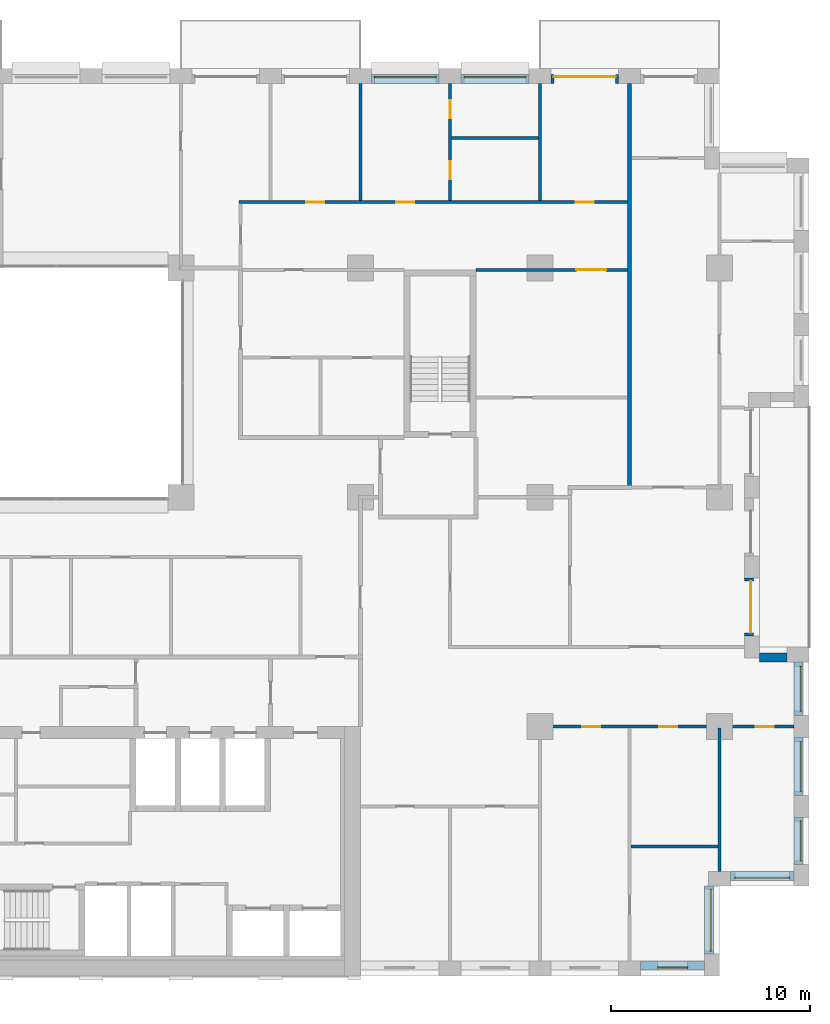
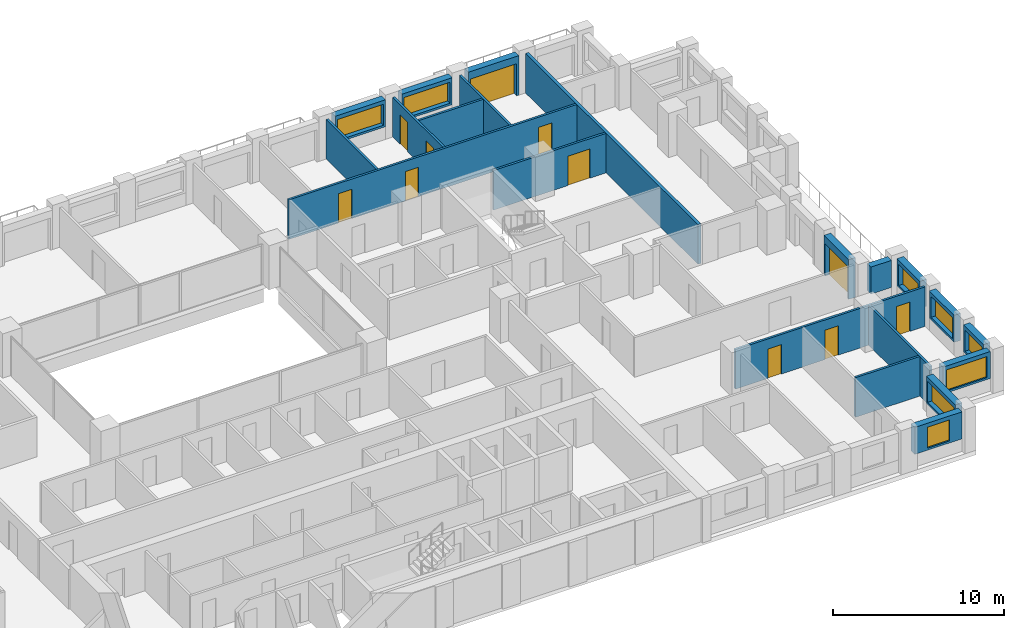
# One storey, part 14 of 16: 21 walls, 11 doors, 8 windows, 19 openings.
"""IFC4 building model written with IfcOpenShell, lengths in metres."""

from ifc_helpers import new_model, si_unit, direction, frame, frame_2d, origin, place, context, subcontext, project, spatial, rectangle, extrude, material, layer, layer_set, type_object, element, fill, save


model = new_model("IFC4")

# Units and contexts
model_context = context("Model", 3, precision=1e-05, world=origin(), true_north=direction((0.0, 1.0)))
body_context = subcontext(model_context, "Body", "Model", "MODEL_VIEW")
ifc_project = project(units=[si_unit("LENGTHUNIT", "METRE"), si_unit("AREAUNIT", "SQUARE_METRE"), si_unit("VOLUMEUNIT", "CUBIC_METRE"), si_unit("PLANEANGLEUNIT", "RADIAN"), si_unit("MASSUNIT", "GRAM", prefix="KILO")], contexts=[model_context])

# Site, building, storey
site_placement = place(None, origin())
site = spatial("IfcSite", under=ifc_project, at=site_placement, CompositionType="ELEMENT")
building_placement = place(site_placement, origin())
building = spatial("IfcBuilding", under=site, at=building_placement, Name="Brigalow Station Residences", CompositionType="ELEMENT")
storey_placement = place(building_placement, frame((0.0, 0.0, 108.75)))
storey = spatial("IfcBuildingStorey", under=building, at=storey_placement, Name="L31", CompositionType="ELEMENT", Elevation=108.75)

# Wall, opening, window
ifc_material_1 = material(Name="Clay brick masonry", Category="masonry")
ifc_layer_1 = layer(ifc_material_1, 0.449951171875)
ifc_layer_set_1 = layer_set([ifc_layer_1], Name="BRICK INFILL WALL 450")
wall_type_1 = type_object("IfcWallType", Name="BRICK INFILL WALL 450", PredefinedType="SOLIDWALL", material=ifc_layer_set_1)
wall_1_placement = place(storey_placement, frame((68.050048828125, 0.52490234375, 0.89990234375), z_axis=(0.0, 0.0, 1.0), x_axis=(1.0, 0.0, 0.0)))
wall_1 = element("IfcWall", 1, at=wall_1_placement, inside=storey, type_object=wall_type_1, Name="L31/ewall/W-L31-7", PredefinedType="SOLIDWALL", context=body_context, shape_type="SweptSolid", body=[
    extrude(rectangle(XDim=3.199951171875, YDim=0.449951171875, at=frame_2d((1.60009765625, 0.0))), origin(), (0.0, 0.0, 1.0), 1.93017578125),
])
opening_1_placement = place(wall_1_placement, frame((0.85009765625, 0.0, 0.14990234375)))
opening_1 = element("IfcOpeningElement", 2, at=opening_1_placement, cuts=wall_1, Name="Opening WT-1", PredefinedType="OPENING", context=body_context, shape_type="SweptSolid", body=[
    extrude(rectangle(XDim=1.5, YDim=1.5, at=frame_2d((0.75, 0.75))), frame((0.0, 0.23486328125, 0.0), z_axis=(0.0, -1.0, 0.0), x_axis=(1.0, 0.0, 0.0)), (0.0, 0.0, 1.0), 0.469970703125),
])
ifc_material_2 = material(Name="Anodised aluminium frame with double glazing", Category="aluminium")
window_type_1 = type_object("IfcWindowType", Name="WINDOW 1500x1500", PartitioningType="SINGLE_PANEL", PredefinedType="WINDOW", material=ifc_material_2)
window_1_placement = place(opening_1_placement, origin())
window_1 = element("IfcWindow", 3, at=window_1_placement, inside=storey, type_object=window_type_1, Name="L31/window/W-L31-7", OverallHeight=1.5, OverallWidth=1.5, PartitioningType="SINGLE_PANEL", PredefinedType="WINDOW", context=body_context, shape_type="SweptSolid", body=[
    extrude(rectangle(XDim=1.5, YDim=1.5, at=frame_2d((0.75, 0.75))), frame((0.0, -0.06494140625, 0.0), z_axis=(0.0, -1.0, 0.0), x_axis=(1.0, 0.0, 0.0)), (0.0, 0.0, 1.0), 0.06005859375),
])
fill(opening_1, window_1)

wall_2_placement = place(storey_placement, frame((71.47509765625, 1.10009765625, 0.89990234375), z_axis=(0.0, 0.0, 1.0), x_axis=(0.0, 1.0, 0.0)))
wall_2 = element("IfcWall", 4, at=wall_2_placement, inside=storey, type_object=wall_type_1, Name="L31/ewall/W-L31-8", PredefinedType="SOLIDWALL", context=body_context, shape_type="SweptSolid", body=[
    extrude(rectangle(XDim=3.39990234375, YDim=0.449951171875, at=frame_2d((1.699951171875, 0.0))), origin(), (0.0, 0.0, 1.0), 1.93017578125),
])
opening_2_placement = place(wall_2_placement, frame((0.14990234375, 0.0, 0.14990234375)))
opening_2 = element("IfcOpeningElement", 5, at=opening_2_placement, cuts=wall_2, Name="Opening WT-8", PredefinedType="OPENING", context=body_context, shape_type="SweptSolid", body=[
    extrude(rectangle(XDim=3.10009765625, YDim=1.5, at=frame_2d((1.550048828125, 0.75))), frame((0.0, 0.23486328125, 0.0), z_axis=(0.0, -1.0, 0.0), x_axis=(1.0, 0.0, 0.0)), (0.0, 0.0, 1.0), 0.469970703125),
])
ifc_material_3 = material(Name="Anodised aluminium frame with double glazing", Category="aluminium")
window_type_2 = type_object("IfcWindowType", Name="WINDOW 3100x1500", PartitioningType="SINGLE_PANEL", PredefinedType="WINDOW", material=ifc_material_3)
window_2_placement = place(opening_2_placement, origin())
window_2 = element("IfcWindow", 6, at=window_2_placement, inside=storey, type_object=window_type_2, Name="L31/window/W-L31-8", OverallHeight=1.5, OverallWidth=3.10009765625, PartitioningType="SINGLE_PANEL", PredefinedType="WINDOW", context=body_context, shape_type="SweptSolid", body=[
    extrude(rectangle(XDim=3.10009765625, YDim=1.5, at=frame_2d((1.550048828125, 0.75))), frame((0.0, -0.06494140625, 0.0), z_axis=(0.0, -1.0, 0.0), x_axis=(1.0, 0.0, 0.0)), (0.0, 0.0, 1.0), 0.06005859375),
])
fill(opening_2, window_2)

wall_3_placement = place(storey_placement, frame((72.550048828125, 5.02490234375, 0.89990234375), z_axis=(0.0, 0.0, 1.0), x_axis=(1.0, 0.0, 0.0)))
wall_3 = element("IfcWall", 7, at=wall_3_placement, inside=storey, type_object=wall_type_1, Name="L31/ewall/W-L31-9", PredefinedType="SOLIDWALL", context=body_context, shape_type="SweptSolid", body=[
    extrude(rectangle(XDim=3.199951171875, YDim=0.449951171875, at=frame_2d((1.60009765625, 0.0))), origin(), (0.0, 0.0, 1.0), 1.93017578125),
])
opening_3_placement = place(wall_3_placement, frame((0.22509765625, 0.0, 0.14990234375)))
opening_3 = element("IfcOpeningElement", 8, at=opening_3_placement, cuts=wall_3, Name="Opening WT-3", PredefinedType="OPENING", context=body_context, shape_type="SweptSolid", body=[
    extrude(rectangle(XDim=2.75, YDim=1.5, at=frame_2d((1.375, 0.75))), frame((0.0, 0.23486328125, 0.0), z_axis=(0.0, -1.0, 0.0), x_axis=(1.0, 0.0, 0.0)), (0.0, 0.0, 1.0), 0.469970703125),
])
ifc_material_4 = material(Name="Anodised aluminium frame with double glazing", Category="aluminium")
window_type_3 = type_object("IfcWindowType", Name="WINDOW 2750x1500", PartitioningType="SINGLE_PANEL", PredefinedType="WINDOW", material=ifc_material_4)
window_3_placement = place(opening_3_placement, origin())
window_3 = element("IfcWindow", 9, at=window_3_placement, inside=storey, type_object=window_type_3, Name="L31/window/W-L31-9", OverallHeight=1.5, OverallWidth=2.75, PartitioningType="SINGLE_PANEL", PredefinedType="WINDOW", context=body_context, shape_type="SweptSolid", body=[
    extrude(rectangle(XDim=2.75, YDim=1.5, at=frame_2d((1.375, 0.75))), frame((0.0, -0.06494140625, 0.0), z_axis=(0.0, -1.0, 0.0), x_axis=(1.0, 0.0, 0.0)), (0.0, 0.0, 1.0), 0.06005859375),
])
fill(opening_3, window_3)

wall_4_placement = place(storey_placement, frame((75.97509765625, 5.60009765625, 0.89990234375), z_axis=(0.0, 0.0, 1.0), x_axis=(0.0, 1.0, 0.0)))
wall_4 = element("IfcWall", 10, at=wall_4_placement, inside=storey, type_object=wall_type_1, Name="L31/ewall/W-L31-10", PredefinedType="SOLIDWALL", context=body_context, shape_type="SweptSolid", body=[
    extrude(rectangle(XDim=2.349853515625, YDim=0.449951171875, at=frame_2d((1.1748046875, 0.0))), origin(), (0.0, 0.0, 1.0), 1.93017578125),
])
opening_4_placement = place(wall_4_placement, frame((0.175048828125, 0.0, 0.14990234375)))
opening_4 = element("IfcOpeningElement", 11, at=opening_4_placement, cuts=wall_4, Name="Opening WT-7", PredefinedType="OPENING", context=body_context, shape_type="SweptSolid", body=[
    extrude(rectangle(XDim=2.0, YDim=1.5, at=frame_2d((1.0, 0.75))), frame((0.0, 0.23486328125, 0.0), z_axis=(0.0, -1.0, 0.0), x_axis=(1.0, 0.0, 0.0)), (0.0, 0.0, 1.0), 0.469970703125),
])
ifc_material_5 = material(Name="Anodised aluminium frame with double glazing", Category="aluminium")
window_type_4 = type_object("IfcWindowType", Name="WINDOW 2000x1500", PartitioningType="SINGLE_PANEL", PredefinedType="WINDOW", material=ifc_material_5)
window_4_placement = place(opening_4_placement, origin())
window_4 = element("IfcWindow", 12, at=window_4_placement, inside=storey, type_object=window_type_4, Name="L31/window/W-L31-10", OverallHeight=1.5, OverallWidth=2.0, PartitioningType="SINGLE_PANEL", PredefinedType="WINDOW", context=body_context, shape_type="SweptSolid", body=[
    extrude(rectangle(XDim=2.0, YDim=1.5, at=frame_2d((1.0, 0.75))), frame((0.0, -0.06494140625, 0.0), z_axis=(0.0, -1.0, 0.0), x_axis=(1.0, 0.0, 0.0)), (0.0, 0.0, 1.0), 0.06005859375),
])
fill(opening_4, window_4)

wall_5_placement = place(storey_placement, frame((75.97509765625, 9.050048828125, 0.89990234375), z_axis=(0.0, 0.0, 1.0), x_axis=(0.0, 1.0, 0.0)))
wall_5 = element("IfcWall", 13, at=wall_5_placement, inside=storey, type_object=wall_type_1, Name="L31/ewall/W-L31-11", PredefinedType="SOLIDWALL", context=body_context, shape_type="SweptSolid", body=[
    extrude(rectangle(XDim=2.89990234375, YDim=0.449951171875, at=frame_2d((1.449951171875, 0.0))), origin(), (0.0, 0.0, 1.0), 1.93017578125),
])
opening_5_placement = place(wall_5_placement, frame((0.199951171875, 0.0, 0.14990234375)))
opening_5 = element("IfcOpeningElement", 14, at=opening_5_placement, cuts=wall_5, Name="Opening WT-5", PredefinedType="OPENING", context=body_context, shape_type="SweptSolid", body=[
    extrude(rectangle(XDim=2.5, YDim=1.5, at=frame_2d((1.25, 0.75))), frame((0.0, 0.23486328125, 0.0), z_axis=(0.0, -1.0, 0.0), x_axis=(1.0, 0.0, 0.0)), (0.0, 0.0, 1.0), 0.469970703125),
])
ifc_material_6 = material(Name="Anodised aluminium frame with double glazing", Category="aluminium")
window_type_5 = type_object("IfcWindowType", Name="WINDOW 2500x1500", PartitioningType="SINGLE_PANEL", PredefinedType="WINDOW", material=ifc_material_6)
window_5_placement = place(opening_5_placement, origin())
window_5 = element("IfcWindow", 15, at=window_5_placement, inside=storey, type_object=window_type_5, Name="L31/window/W-L31-11", OverallHeight=1.5, OverallWidth=2.5, PartitioningType="SINGLE_PANEL", PredefinedType="WINDOW", context=body_context, shape_type="SweptSolid", body=[
    extrude(rectangle(XDim=2.5, YDim=1.5, at=frame_2d((1.25, 0.75))), frame((0.0, -0.06494140625, 0.0), z_axis=(0.0, -1.0, 0.0), x_axis=(1.0, 0.0, 0.0)), (0.0, 0.0, 1.0), 0.06005859375),
])
fill(opening_5, window_5)

wall_6_placement = place(storey_placement, frame((75.97509765625, 13.050048828125, 0.89990234375), z_axis=(0.0, 0.0, 1.0), x_axis=(0.0, 1.0, 0.0)))
wall_6 = element("IfcWall", 16, at=wall_6_placement, inside=storey, type_object=wall_type_1, Name="L31/ewall/W-L31-12", PredefinedType="SOLIDWALL", context=body_context, shape_type="SweptSolid", body=[
    extrude(rectangle(XDim=2.699951171875, YDim=0.449951171875, at=frame_2d((1.35009765625, 0.0))), origin(), (0.0, 0.0, 1.0), 1.93017578125),
])
opening_6_placement = place(wall_6_placement, frame((0.22509765625, 0.0, 0.14990234375)))
opening_6 = element("IfcOpeningElement", 17, at=opening_6_placement, cuts=wall_6, Name="Opening WT-6", PredefinedType="OPENING", context=body_context, shape_type="SweptSolid", body=[
    extrude(rectangle(XDim=2.25, YDim=1.5, at=frame_2d((1.125, 0.75))), frame((0.0, 0.23486328125, 0.0), z_axis=(0.0, -1.0, 0.0), x_axis=(1.0, 0.0, 0.0)), (0.0, 0.0, 1.0), 0.469970703125),
])
ifc_material_7 = material(Name="Anodised aluminium frame with double glazing", Category="aluminium")
window_type_6 = type_object("IfcWindowType", Name="WINDOW 2250x1500", PartitioningType="SINGLE_PANEL", PredefinedType="WINDOW", material=ifc_material_7)
window_6_placement = place(opening_6_placement, origin())
window_6 = element("IfcWindow", 18, at=window_6_placement, inside=storey, type_object=window_type_6, Name="L31/window/W-L31-12", OverallHeight=1.5, OverallWidth=2.25, PartitioningType="SINGLE_PANEL", PredefinedType="WINDOW", context=body_context, shape_type="SweptSolid", body=[
    extrude(rectangle(XDim=2.25, YDim=1.5, at=frame_2d((1.125, 0.75))), frame((0.0, -0.06494140625, 0.0), z_axis=(0.0, -1.0, 0.0), x_axis=(1.0, 0.0, 0.0)), (0.0, 0.0, 1.0), 0.06005859375),
])
fill(opening_6, window_6)

# Wall
wall_7_placement = place(storey_placement, frame((75.39990234375, 15.97509765625, 0.89990234375), z_axis=(0.0, 0.0, 1.0), x_axis=(-1.0, 0.0, 0.0)))
element("IfcWall", 19, at=wall_7_placement, inside=storey, type_object=wall_type_1, Name="L31/ewall/W-L31-13", PredefinedType="SOLIDWALL", context=body_context, shape_type="SweptSolid", body=[
    extrude(rectangle(XDim=1.39990234375, YDim=0.449951171875, at=frame_2d((0.699951171875, 0.0))), origin(), (0.0, 0.0, 1.0), 1.93017578125),
])

# Wall, opening, door
wall_8_placement = place(storey_placement, frame((73.47509765625, 17.050048828125, 0.0), z_axis=(0.0, 0.0, 1.0), x_axis=(0.0, 1.0, 0.0)))
wall_8 = element("IfcWall", 20, at=wall_8_placement, inside=storey, type_object=wall_type_1, Name="L31/ewall/W-L31-14", PredefinedType="SOLIDWALL", context=body_context, shape_type="SweptSolid", body=[
    extrude(rectangle(XDim=2.89990234375, YDim=0.449951171875, at=frame_2d((1.449951171875, 0.0))), origin(), (0.0, 0.0, 1.0), 2.830078125),
])
opening_7_placement = place(wall_8_placement, frame((0.14990234375, 0.0, 0.0)))
opening_7 = element("IfcOpeningElement", 21, at=opening_7_placement, cuts=wall_8, Name="Opening D-B2600", PredefinedType="OPENING", context=body_context, shape_type="SweptSolid", body=[
    extrude(rectangle(XDim=2.60009765625, YDim=2.300048828125, at=frame_2d((1.300048828125, 1.14990234375))), frame((0.0, 0.23486328125, 0.0), z_axis=(0.0, -1.0, 0.0), x_axis=(1.0, 0.0, 0.0)), (0.0, 0.0, 1.0), 0.469970703125),
])
ifc_material_8 = material(Name="Anodised aluminium frame with double glazing", Category="aluminium")
door_type_1 = type_object("IfcDoorType", Name="BALCONY SLIDING DOOR 2600x2300", OperationType="SLIDING_TO_LEFT", PredefinedType="DOOR", material=ifc_material_8)
door_1_placement = place(opening_7_placement, origin())
door_1 = element("IfcDoor", 22, at=door_1_placement, inside=storey, type_object=door_type_1, Name="L31/balcony-door/W-L31-14", OperationType="SLIDING_TO_LEFT", OverallHeight=2.300048828125, OverallWidth=2.60009765625, PredefinedType="DOOR", context=body_context, shape_type="SweptSolid", body=[
    extrude(rectangle(XDim=2.60009765625, YDim=2.300048828125, at=frame_2d((1.300048828125, 1.14990234375))), frame((0.0, -0.06982421875, 0.0), z_axis=(0.0, -1.0, 0.0), x_axis=(1.0, 0.0, 0.0)), (0.0, 0.0, 1.0), 0.050048828125),
])
fill(opening_7, door_1)

wall_9_placement = place(storey_placement, frame((66.949951171875, 44.97509765625, 0.0), z_axis=(0.0, 0.0, 1.0), x_axis=(-1.0, 0.0, 0.0)))
wall_9 = element("IfcWall", 23, at=wall_9_placement, inside=storey, type_object=wall_type_1, Name="L31/ewall/W-L31-24", PredefinedType="SOLIDWALL", context=body_context, shape_type="SweptSolid", body=[
    extrude(rectangle(XDim=3.39990234375, YDim=0.449951171875, at=frame_2d((1.699951171875, 0.0))), origin(), (0.0, 0.0, 1.0), 2.830078125),
])
opening_8_placement = place(wall_9_placement, frame((0.14990234375, 0.0, 0.0)))
opening_8 = element("IfcOpeningElement", 24, at=opening_8_placement, cuts=wall_9, Name="Opening D-B3100", PredefinedType="OPENING", context=body_context, shape_type="SweptSolid", body=[
    extrude(rectangle(XDim=3.10009765625, YDim=2.300048828125, at=frame_2d((1.550048828125, 1.14990234375))), frame((0.0, 0.23486328125, 0.0), z_axis=(0.0, -1.0, 0.0), x_axis=(1.0, 0.0, 0.0)), (0.0, 0.0, 1.0), 0.469970703125),
])
ifc_material_9 = material(Name="Anodised aluminium frame with double glazing", Category="aluminium")
door_type_2 = type_object("IfcDoorType", Name="BALCONY SLIDING DOOR 3100x2300", OperationType="SLIDING_TO_LEFT", PredefinedType="DOOR", material=ifc_material_9)
door_2_placement = place(opening_8_placement, origin())
door_2 = element("IfcDoor", 25, at=door_2_placement, inside=storey, type_object=door_type_2, Name="L31/balcony-door/W-L31-24", OperationType="SLIDING_TO_LEFT", OverallHeight=2.300048828125, OverallWidth=3.10009765625, PredefinedType="DOOR", context=body_context, shape_type="SweptSolid", body=[
    extrude(rectangle(XDim=3.10009765625, YDim=2.300048828125, at=frame_2d((1.550048828125, 1.14990234375))), frame((0.0, -0.06982421875, 0.0), z_axis=(0.0, -1.0, 0.0), x_axis=(1.0, 0.0, 0.0)), (0.0, 0.0, 1.0), 0.050048828125),
])
fill(opening_8, door_2)

# Wall, opening, window
wall_10_placement = place(storey_placement, frame((62.449951171875, 44.97509765625, 0.89990234375), z_axis=(0.0, 0.0, 1.0), x_axis=(-1.0, 0.0, 0.0)))
wall_10 = element("IfcWall", 26, at=wall_10_placement, inside=storey, type_object=wall_type_1, Name="L31/ewall/W-L31-25", PredefinedType="SOLIDWALL", context=body_context, shape_type="SweptSolid", body=[
    extrude(rectangle(XDim=3.39990234375, YDim=0.449951171875, at=frame_2d((1.699951171875, 0.0))), origin(), (0.0, 0.0, 1.0), 1.93017578125),
])
opening_9_placement = place(wall_10_placement, frame((0.14990234375, 0.0, 0.14990234375)))
opening_9 = element("IfcOpeningElement", 27, at=opening_9_placement, cuts=wall_10, Name="Opening WT-8", PredefinedType="OPENING", context=body_context, shape_type="SweptSolid", body=[
    extrude(rectangle(XDim=3.10009765625, YDim=1.5, at=frame_2d((1.550048828125, 0.75))), frame((0.0, 0.23486328125, 0.0), z_axis=(0.0, -1.0, 0.0), x_axis=(1.0, 0.0, 0.0)), (0.0, 0.0, 1.0), 0.469970703125),
])
window_7_placement = place(opening_9_placement, origin())
window_7 = element("IfcWindow", 28, at=window_7_placement, inside=storey, type_object=window_type_2, Name="L31/window/W-L31-25", OverallHeight=1.5, OverallWidth=3.10009765625, PartitioningType="SINGLE_PANEL", PredefinedType="WINDOW", context=body_context, shape_type="SweptSolid", body=[
    extrude(rectangle(XDim=3.10009765625, YDim=1.5, at=frame_2d((1.550048828125, 0.75))), frame((0.0, -0.06494140625, 0.0), z_axis=(0.0, -1.0, 0.0), x_axis=(1.0, 0.0, 0.0)), (0.0, 0.0, 1.0), 0.06005859375),
])
fill(opening_9, window_7)

wall_11_placement = place(storey_placement, frame((57.949951171875, 44.97509765625, 0.89990234375), z_axis=(0.0, 0.0, 1.0), x_axis=(-1.0, 0.0, 0.0)))
wall_11 = element("IfcWall", 29, at=wall_11_placement, inside=storey, type_object=wall_type_1, Name="L31/ewall/W-L31-26", PredefinedType="SOLIDWALL", context=body_context, shape_type="SweptSolid", body=[
    extrude(rectangle(XDim=3.39990234375, YDim=0.449951171875, at=frame_2d((1.699951171875, 0.0))), origin(), (0.0, 0.0, 1.0), 1.93017578125),
])
opening_10_placement = place(wall_11_placement, frame((0.14990234375, 0.0, 0.14990234375)))
opening_10 = element("IfcOpeningElement", 30, at=opening_10_placement, cuts=wall_11, Name="Opening WT-8", PredefinedType="OPENING", context=body_context, shape_type="SweptSolid", body=[
    extrude(rectangle(XDim=3.10009765625, YDim=1.5, at=frame_2d((1.550048828125, 0.75))), frame((0.0, 0.23486328125, 0.0), z_axis=(0.0, -1.0, 0.0), x_axis=(1.0, 0.0, 0.0)), (0.0, 0.0, 1.0), 0.469970703125),
])
window_8_placement = place(opening_10_placement, origin())
window_8 = element("IfcWindow", 31, at=window_8_placement, inside=storey, type_object=window_type_2, Name="L31/window/W-L31-26", OverallHeight=1.5, OverallWidth=3.10009765625, PartitioningType="SINGLE_PANEL", PredefinedType="WINDOW", context=body_context, shape_type="SweptSolid", body=[
    extrude(rectangle(XDim=3.10009765625, YDim=1.5, at=frame_2d((1.550048828125, 0.75))), frame((0.0, -0.06494140625, 0.0), z_axis=(0.0, -1.0, 0.0), x_axis=(1.0, 0.0, 0.0)), (0.0, 0.0, 1.0), 0.06005859375),
])
fill(opening_10, window_8)

# Wall, openings, doors
ifc_material_10 = material(Name="Plasterboard on steel stud partition", Category="steel")
ifc_layer_2 = layer(ifc_material_10, 0.14990234375)
ifc_layer_set_2 = layer_set([ifc_layer_2], Name="FLAT PARTITION 150")
wall_type_2 = type_object("IfcWallType", Name="FLAT PARTITION 150", PredefinedType="PARTITIONING", material=ifc_layer_set_2)
wall_12_placement = place(storey_placement, frame((62.925048828125, 12.5, 0.0), z_axis=(0.0, 0.0, 1.0), x_axis=(1.0, 0.0, 0.0)))
wall_12 = element("IfcWall", 32, at=wall_12_placement, inside=storey, type_object=wall_type_2, Name="PW-2C12", PredefinedType="PARTITIONING", context=body_context, shape_type="SweptSolid", body=[
    extrude(rectangle(XDim=12.824951171875, YDim=0.14990234375, at=frame_2d((6.41259765625, 0.0))), origin(), (0.0, 0.0, 1.0), 2.830078125),
])
opening_11_placement = place(wall_12_placement, frame((6.050048828125, 0.0, 0.0)))
opening_11 = element("IfcOpeningElement", 33, at=opening_11_placement, cuts=wall_12, Name="Opening D-2C33", PredefinedType="OPENING", context=body_context, shape_type="SweptSolid", body=[
    extrude(rectangle(XDim=0.89990234375, YDim=2.10009765625, at=frame_2d((0.449951171875, 1.050048828125))), frame((0.0, 0.0849609375, 0.0), z_axis=(0.0, -1.0, 0.0), x_axis=(1.0, 0.0, 0.0)), (0.0, 0.0, 1.0), 0.169921875),
])
opening_12_placement = place(wall_12_placement, frame((2.199951171875, 0.0, 0.0)))
opening_12 = element("IfcOpeningElement", 34, at=opening_12_placement, cuts=wall_12, Name="Opening D-2C35", PredefinedType="OPENING", context=body_context, shape_type="SweptSolid", body=[
    extrude(rectangle(XDim=0.89990234375, YDim=2.10009765625, at=frame_2d((0.449951171875, 1.050048828125))), frame((0.0, 0.0849609375, 0.0), z_axis=(0.0, -1.0, 0.0), x_axis=(1.0, 0.0, 0.0)), (0.0, 0.0, 1.0), 0.169921875),
])
opening_13_placement = place(wall_12_placement, frame((10.89990234375, 0.0, 0.0)))
opening_13 = element("IfcOpeningElement", 35, at=opening_13_placement, cuts=wall_12, Name="Opening D-2C37", PredefinedType="OPENING", context=body_context, shape_type="SweptSolid", body=[
    extrude(rectangle(XDim=0.89990234375, YDim=2.10009765625, at=frame_2d((0.449951171875, 1.050048828125))), frame((0.0, 0.0849609375, 0.0), z_axis=(0.0, -1.0, 0.0), x_axis=(1.0, 0.0, 0.0)), (0.0, 0.0, 1.0), 0.169921875),
])
ifc_material_11 = material(Name="Solid-core timber door leaf", Category="wood")
door_type_3 = type_object("IfcDoorType", Name="INTERNAL DOOR 900 x 2100", OperationType="SINGLE_SWING_LEFT", PredefinedType="DOOR", material=ifc_material_11)
door_3_placement = place(opening_11_placement, frame((0.89990234375, 0.0, 0.0), z_axis=(0.0, 0.0, 1.0), x_axis=(-1.0, 0.0, 0.0)))
door_3 = element("IfcDoor", 36, at=door_3_placement, inside=storey, type_object=door_type_3, Name="D-2C33", OperationType="SINGLE_SWING_RIGHT", OverallHeight=2.10009765625, OverallWidth=0.89990234375, PredefinedType="DOOR", context=body_context, shape_type="SweptSolid", body=[
    extrude(rectangle(XDim=0.89990234375, YDim=2.10009765625, at=frame_2d((0.449951171875, 1.050048828125))), frame((0.0, 0.02490234375, 0.0), z_axis=(0.0, -1.0, 0.0), x_axis=(1.0, 0.0, 0.0)), (0.0, 0.0, 1.0), 0.050048828125),
])
fill(opening_11, door_3)
door_4_placement = place(opening_12_placement, frame((0.89990234375, 0.0, 0.0), z_axis=(0.0, 0.0, 1.0), x_axis=(-1.0, 0.0, 0.0)))
door_4 = element("IfcDoor", 37, at=door_4_placement, inside=storey, type_object=door_type_3, Name="D-2C35", OperationType="SINGLE_SWING_LEFT", OverallHeight=2.10009765625, OverallWidth=0.89990234375, PredefinedType="DOOR", context=body_context, shape_type="SweptSolid", body=[
    extrude(rectangle(XDim=0.89990234375, YDim=2.10009765625, at=frame_2d((0.449951171875, 1.050048828125))), frame((0.0, 0.02490234375, 0.0), z_axis=(0.0, -1.0, 0.0), x_axis=(1.0, 0.0, 0.0)), (0.0, 0.0, 1.0), 0.050048828125),
])
fill(opening_12, door_4)
door_5_placement = place(opening_13_placement, frame((0.89990234375, 0.0, 0.0), z_axis=(0.0, 0.0, 1.0), x_axis=(-1.0, 0.0, 0.0)))
door_5 = element("IfcDoor", 38, at=door_5_placement, inside=storey, type_object=door_type_3, Name="D-2C37", OperationType="SINGLE_SWING_LEFT", OverallHeight=2.10009765625, OverallWidth=0.89990234375, PredefinedType="DOOR", context=body_context, shape_type="SweptSolid", body=[
    extrude(rectangle(XDim=0.89990234375, YDim=2.10009765625, at=frame_2d((0.449951171875, 1.050048828125))), frame((0.0, 0.02490234375, 0.0), z_axis=(0.0, -1.0, 0.0), x_axis=(1.0, 0.0, 0.0)), (0.0, 0.0, 1.0), 0.050048828125),
])
fill(opening_13, door_5)

# Wall, opening, door
wall_13_placement = place(storey_placement, frame((59.800048828125, 35.39990234375, 0.0), z_axis=(0.0, 0.0, 1.0), x_axis=(1.0, 0.0, 0.0)))
wall_13 = element("IfcWall", 39, at=wall_13_placement, inside=storey, type_object=wall_type_2, Name="PW-2C27", PredefinedType="PARTITIONING", context=body_context, shape_type="SweptSolid", body=[
    extrude(rectangle(XDim=7.599853515625, YDim=0.14990234375, at=frame_2d((3.7998046875, 0.0))), origin(), (0.0, 0.0, 1.0), 2.830078125),
])
opening_14_placement = place(wall_13_placement, frame((5.02490234375, 0.0, 0.0)))
opening_14 = element("IfcOpeningElement", 40, at=opening_14_placement, cuts=wall_13, Name="Opening D-2C29", PredefinedType="OPENING", context=body_context, shape_type="SweptSolid", body=[
    extrude(rectangle(XDim=1.5, YDim=2.10009765625, at=frame_2d((0.75, 1.050048828125))), frame((0.0, 0.0849609375, 0.0), z_axis=(0.0, -1.0, 0.0), x_axis=(1.0, 0.0, 0.0)), (0.0, 0.0, 1.0), 0.169921875),
])
ifc_material_12 = material(Name="Solid-core timber door leaf", Category="wood")
door_type_4 = type_object("IfcDoorType", Name="INTERNAL DOUBLE DOOR 1500 x 2100", OperationType="DOUBLE_DOOR_SINGLE_SWING", PredefinedType="DOOR", material=ifc_material_12)
door_6_placement = place(opening_14_placement, frame((1.5, 0.0, 0.0), z_axis=(0.0, 0.0, 1.0), x_axis=(-1.0, 0.0, 0.0)))
door_6 = element("IfcDoor", 41, at=door_6_placement, inside=storey, type_object=door_type_4, Name="D-2C29", OperationType="DOUBLE_DOOR_SINGLE_SWING", OverallHeight=2.10009765625, OverallWidth=1.5, PredefinedType="DOOR", context=body_context, shape_type="SweptSolid", body=[
    extrude(rectangle(XDim=1.5, YDim=2.10009765625, at=frame_2d((0.75, 1.050048828125))), frame((0.0, 0.02490234375, 0.0), z_axis=(0.0, -1.0, 0.0), x_axis=(1.0, 0.0, 0.0)), (0.0, 0.0, 1.0), 0.050048828125),
])
fill(opening_14, door_6)

# Wall, openings, doors
wall_14_placement = place(storey_placement, frame((47.925048828125, 38.800048828125, 0.0), z_axis=(0.0, 0.0, 1.0), x_axis=(1.0, 0.0, 0.0)))
wall_14 = element("IfcWall", 42, at=wall_14_placement, inside=storey, type_object=wall_type_2, Name="PW-2C30", PredefinedType="PARTITIONING", context=body_context, shape_type="SweptSolid", body=[
    extrude(rectangle(XDim=19.474853515625, YDim=0.14990234375, at=frame_2d((9.7373046875, 0.0))), origin(), (0.0, 0.0, 1.0), 2.830078125),
])
opening_15_placement = place(wall_14_placement, frame((3.375, 0.0, 0.0)))
opening_15 = element("IfcOpeningElement", 43, at=opening_15_placement, cuts=wall_14, Name="Opening D-2C24", PredefinedType="OPENING", context=body_context, shape_type="SweptSolid", body=[
    extrude(rectangle(XDim=0.89990234375, YDim=2.10009765625, at=frame_2d((0.449951171875, 1.050048828125))), frame((0.0, 0.0849609375, 0.0), z_axis=(0.0, -1.0, 0.0), x_axis=(1.0, 0.0, 0.0)), (0.0, 0.0, 1.0), 0.169921875),
])
opening_16_placement = place(wall_14_placement, frame((7.875, 0.0, 0.0)))
opening_16 = element("IfcOpeningElement", 44, at=opening_16_placement, cuts=wall_14, Name="Opening D-2C25", PredefinedType="OPENING", context=body_context, shape_type="SweptSolid", body=[
    extrude(rectangle(XDim=0.89990234375, YDim=2.10009765625, at=frame_2d((0.449951171875, 1.050048828125))), frame((0.0, 0.0849609375, 0.0), z_axis=(0.0, -1.0, 0.0), x_axis=(1.0, 0.0, 0.0)), (0.0, 0.0, 1.0), 0.169921875),
])
opening_17_placement = place(wall_14_placement, frame((16.875, 0.0, 0.0)))
opening_17 = element("IfcOpeningElement", 45, at=opening_17_placement, cuts=wall_14, Name="Opening D-2C28", PredefinedType="OPENING", context=body_context, shape_type="SweptSolid", body=[
    extrude(rectangle(XDim=0.89990234375, YDim=2.10009765625, at=frame_2d((0.449951171875, 1.050048828125))), frame((0.0, 0.0849609375, 0.0), z_axis=(0.0, -1.0, 0.0), x_axis=(1.0, 0.0, 0.0)), (0.0, 0.0, 1.0), 0.169921875),
])
door_7_placement = place(opening_15_placement, origin())
door_7 = element("IfcDoor", 46, at=door_7_placement, inside=storey, type_object=door_type_3, Name="D-2C24", OperationType="SINGLE_SWING_LEFT", OverallHeight=2.10009765625, OverallWidth=0.89990234375, PredefinedType="DOOR", context=body_context, shape_type="SweptSolid", body=[
    extrude(rectangle(XDim=0.89990234375, YDim=2.10009765625, at=frame_2d((0.449951171875, 1.050048828125))), frame((0.0, 0.02490234375, 0.0), z_axis=(0.0, -1.0, 0.0), x_axis=(1.0, 0.0, 0.0)), (0.0, 0.0, 1.0), 0.050048828125),
])
fill(opening_15, door_7)
door_8_placement = place(opening_16_placement, origin())
door_8 = element("IfcDoor", 47, at=door_8_placement, inside=storey, type_object=door_type_3, Name="D-2C25", OperationType="SINGLE_SWING_RIGHT", OverallHeight=2.10009765625, OverallWidth=0.89990234375, PredefinedType="DOOR", context=body_context, shape_type="SweptSolid", body=[
    extrude(rectangle(XDim=0.89990234375, YDim=2.10009765625, at=frame_2d((0.449951171875, 1.050048828125))), frame((0.0, 0.02490234375, 0.0), z_axis=(0.0, -1.0, 0.0), x_axis=(1.0, 0.0, 0.0)), (0.0, 0.0, 1.0), 0.050048828125),
])
fill(opening_16, door_8)
door_9_placement = place(opening_17_placement, origin())
door_9 = element("IfcDoor", 48, at=door_9_placement, inside=storey, type_object=door_type_3, Name="D-2C28", OperationType="SINGLE_SWING_RIGHT", OverallHeight=2.10009765625, OverallWidth=0.89990234375, PredefinedType="DOOR", context=body_context, shape_type="SweptSolid", body=[
    extrude(rectangle(XDim=0.89990234375, YDim=2.10009765625, at=frame_2d((0.449951171875, 1.050048828125))), frame((0.0, 0.02490234375, 0.0), z_axis=(0.0, -1.0, 0.0), x_axis=(1.0, 0.0, 0.0)), (0.0, 0.0, 1.0), 0.050048828125),
])
fill(opening_17, door_9)

# Walls
for number, where, z_axis, x_axis, name in (
    (49, (58.574951171875, 42.0, 0.0), (0.0, 0.0, 1.0), (1.0, 0.0, 0.0), "PW-2C32"),
    (50, (67.574951171875, 6.5, 0.0), (0.0, 0.0, 1.0), (1.0, 0.0, 0.0), "PW-2C34"),
):
    element("IfcWall", number, at=place(storey_placement, frame(where, z_axis=z_axis, x_axis=x_axis)), inside=storey, type_object=wall_type_2, Name=name, PredefinedType="PARTITIONING", context=body_context, shape_type="SweptSolid", body=[
        extrude(rectangle(XDim=4.35009765625, YDim=0.14990234375, at=frame_2d((2.175048828125, 0.0))), origin(), (0.0, 0.0, 1.0), 2.830078125),
    ])
wall_15_placement = place(storey_placement, frame((54.0, 38.875, 0.0), z_axis=(0.0, 0.0, 1.0), x_axis=(0.0, 1.0, 0.0)))
element("IfcWall", 51, at=wall_15_placement, inside=storey, type_object=wall_type_2, Name="PW-2C37", PredefinedType="PARTITIONING", context=body_context, shape_type="SweptSolid", body=[
    extrude(rectangle(XDim=5.875, YDim=0.14990234375, at=frame_2d((2.9375, 0.0))), origin(), (0.0, 0.0, 1.0), 2.830078125),
])

# Wall, openings, doors
wall_16_placement = place(storey_placement, frame((58.5, 38.875, 0.0), z_axis=(0.0, 0.0, 1.0), x_axis=(0.0, 1.0, 0.0)))
wall_16 = element("IfcWall", 52, at=wall_16_placement, inside=storey, type_object=wall_type_2, Name="PW-2C60", PredefinedType="PARTITIONING", context=body_context, shape_type="SweptSolid", body=[
    extrude(rectangle(XDim=5.875, YDim=0.14990234375, at=frame_2d((2.9375, 0.0))), origin(), (0.0, 0.0, 1.0), 2.830078125),
])
opening_18_placement = place(wall_16_placement, frame((1.074951171875, 0.0, 0.0)))
opening_18 = element("IfcOpeningElement", 53, at=opening_18_placement, cuts=wall_16, Name="Opening D-2C26", PredefinedType="OPENING", context=body_context, shape_type="SweptSolid", body=[
    extrude(rectangle(XDim=0.89990234375, YDim=2.10009765625, at=frame_2d((0.449951171875, 1.050048828125))), frame((0.0, 0.0849609375, 0.0), z_axis=(0.0, -1.0, 0.0), x_axis=(1.0, 0.0, 0.0)), (0.0, 0.0, 1.0), 0.169921875),
])
opening_19_placement = place(wall_16_placement, frame((4.125, 0.0, 0.0)))
opening_19 = element("IfcOpeningElement", 54, at=opening_19_placement, cuts=wall_16, Name="Opening D-2C27", PredefinedType="OPENING", context=body_context, shape_type="SweptSolid", body=[
    extrude(rectangle(XDim=0.89990234375, YDim=2.10009765625, at=frame_2d((0.449951171875, 1.050048828125))), frame((0.0, 0.0849609375, 0.0), z_axis=(0.0, -1.0, 0.0), x_axis=(1.0, 0.0, 0.0)), (0.0, 0.0, 1.0), 0.169921875),
])
door_10_placement = place(opening_18_placement, frame((0.89990234375, 0.0, 0.0), z_axis=(0.0, 0.0, 1.0), x_axis=(-1.0, 0.0, 0.0)))
door_10 = element("IfcDoor", 55, at=door_10_placement, inside=storey, type_object=door_type_3, Name="D-2C26", OperationType="SINGLE_SWING_RIGHT", OverallHeight=2.10009765625, OverallWidth=0.89990234375, PredefinedType="DOOR", context=body_context, shape_type="SweptSolid", body=[
    extrude(rectangle(XDim=0.89990234375, YDim=2.10009765625, at=frame_2d((0.449951171875, 1.050048828125))), frame((0.0, 0.02490234375, 0.0), z_axis=(0.0, -1.0, 0.0), x_axis=(1.0, 0.0, 0.0)), (0.0, 0.0, 1.0), 0.050048828125),
])
fill(opening_18, door_10)
door_11_placement = place(opening_19_placement, frame((0.89990234375, 0.0, 0.0), z_axis=(0.0, 0.0, 1.0), x_axis=(-1.0, 0.0, 0.0)))
door_11 = element("IfcDoor", 56, at=door_11_placement, inside=storey, type_object=door_type_3, Name="D-2C27", OperationType="SINGLE_SWING_LEFT", OverallHeight=2.10009765625, OverallWidth=0.89990234375, PredefinedType="DOOR", context=body_context, shape_type="SweptSolid", body=[
    extrude(rectangle(XDim=0.89990234375, YDim=2.10009765625, at=frame_2d((0.449951171875, 1.050048828125))), frame((0.0, 0.02490234375, 0.0), z_axis=(0.0, -1.0, 0.0), x_axis=(1.0, 0.0, 0.0)), (0.0, 0.0, 1.0), 0.050048828125),
])
fill(opening_19, door_11)

# Walls
wall_17_placement = place(storey_placement, frame((63.0, 38.875, 0.0), z_axis=(0.0, 0.0, 1.0), x_axis=(0.0, 1.0, 0.0)))
element("IfcWall", 57, at=wall_17_placement, inside=storey, type_object=wall_type_2, Name="PW-2C62", PredefinedType="PARTITIONING", context=body_context, shape_type="SweptSolid", body=[
    extrude(rectangle(XDim=5.875, YDim=0.14990234375, at=frame_2d((2.9375, 0.0))), origin(), (0.0, 0.0, 1.0), 2.830078125),
])
wall_18_placement = place(storey_placement, frame((72.0, 5.25, 0.0), z_axis=(0.0, 0.0, 1.0), x_axis=(0.0, 1.0, 0.0)))
element("IfcWall", 58, at=wall_18_placement, inside=storey, type_object=wall_type_2, Name="PW-2C65", PredefinedType="PARTITIONING", context=body_context, shape_type="SweptSolid", body=[
    extrude(rectangle(XDim=7.175048828125, YDim=0.14990234375, at=frame_2d((3.58740234375, 0.0))), origin(), (0.0, 0.0, 1.0), 2.830078125),
])
ifc_material_13 = material(Name="Plasterboard on steel stud partition", Category="steel")
ifc_layer_3 = layer(ifc_material_13, 0.199951171875)
ifc_layer_set_3 = layer_set([ifc_layer_3], Name="PARTY AND CORRIDOR WALL 200")
wall_type_3 = type_object("IfcWallType", Name="PARTY AND CORRIDOR WALL 200", PredefinedType="PARTITIONING", material=ifc_layer_set_3)
wall_19_placement = place(storey_placement, frame((67.5, 24.574951171875, 0.0), z_axis=(0.0, 0.0, 1.0), x_axis=(0.0, 1.0, 0.0)))
element("IfcWall", 59, at=wall_19_placement, inside=storey, type_object=wall_type_3, Name="PW-2C57", PredefinedType="PARTITIONING", context=body_context, shape_type="SweptSolid", body=[
    extrude(rectangle(XDim=20.175048828125, YDim=0.199951171875, at=frame_2d((10.08740234375, 0.0))), origin(), (0.0, 0.0, 1.0), 2.830078125),
])

save(model, "model.ifc")
